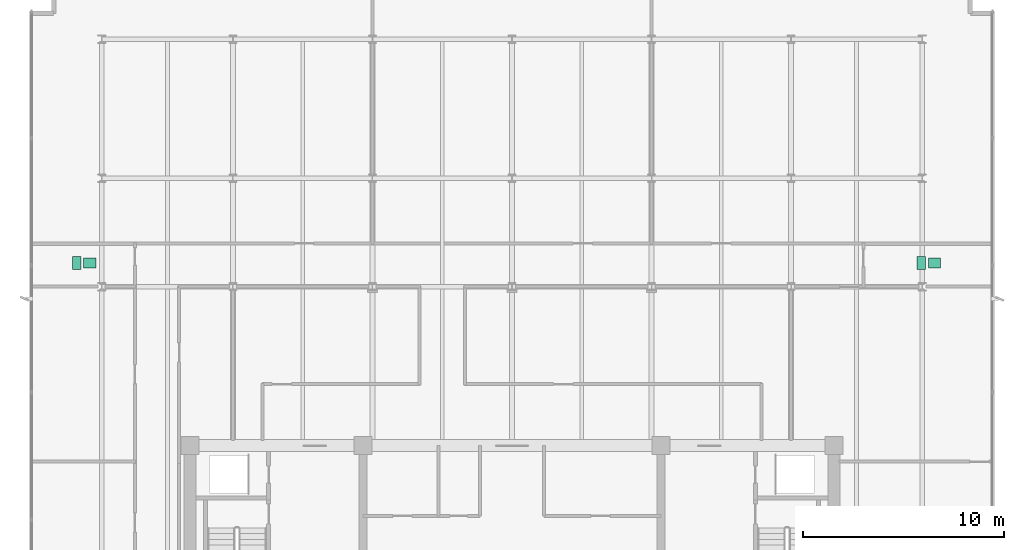
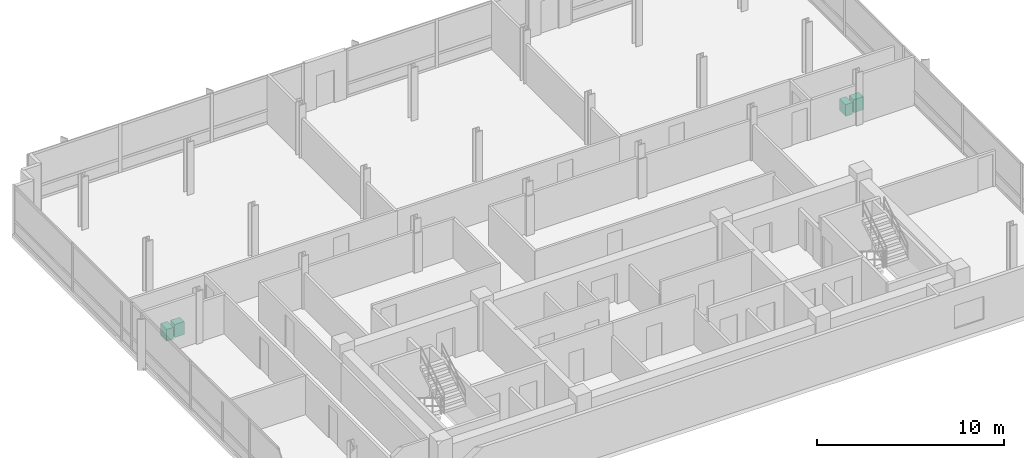
# One storey, part 13 of 13: 4 sanitary terminals.
"""IFC4 building model written with IfcOpenShell, lengths in metres."""

from ifc_helpers import new_model, si_unit, direction, frame, origin, origin_2d, place, context, subcontext, project, spatial, rectangle, extrude, material, type_object, element, save


model = new_model("IFC4")

# Units and contexts
model_context = context("Model", 3, precision=1e-05, world=origin(), true_north=direction((0.0, 1.0)))
body_context = subcontext(model_context, "Body", "Model", "MODEL_VIEW")
ifc_project = project(units=[si_unit("LENGTHUNIT", "METRE"), si_unit("AREAUNIT", "SQUARE_METRE"), si_unit("VOLUMEUNIT", "CUBIC_METRE"), si_unit("PLANEANGLEUNIT", "RADIAN"), si_unit("MASSUNIT", "GRAM", prefix="KILO")], contexts=[model_context])

# Site, building, storey
site_placement = place(None, origin())
site = spatial("IfcSite", under=ifc_project, at=site_placement, CompositionType="ELEMENT")
building_placement = place(site_placement, origin())
building = spatial("IfcBuilding", under=site, at=building_placement, Name="Solmavex Isthmus Hotel", CompositionType="ELEMENT")
storey_placement = place(building_placement, frame((0.0, 0.0, 279.89990234375)))
storey = spatial("IfcBuildingStorey", under=building, at=storey_placement, Name="L76", CompositionType="ELEMENT", Elevation=279.89990234375)

# Sanitary terminals
ifc_material = material(Name="Vitreous china ceramic", Category="ceramic")
sanitary_terminal_type_1 = type_object("IfcSanitaryTerminalType", Name="SAN-BASIN", PredefinedType="WASHHANDBASIN", material=ifc_material)
for number, where, z_axis, x_axis, name in (
    (1, (-20.9951171875, 6.577392578125, 0.0), (0.0, 0.0, 1.0), (1.0, 0.0, 0.0), "Vanity Washbasin L76-381"),
    (2, (20.99609375, 6.577392578125, 0.0), (0.0, 0.0, 1.0), (1.0, 0.0, 0.0), "Vanity Washbasin L76-382"),
):
    element("IfcSanitaryTerminal", number, at=place(storey_placement, frame(where, z_axis=z_axis, x_axis=x_axis)), inside=storey, type_object=sanitary_terminal_type_1, Name=name, PredefinedType="WASHHANDBASIN", context=body_context, shape_type="SweptSolid", body=[
        extrude(rectangle(XDim=0.60009765625, YDim=0.47998046875, at=origin_2d()), origin(), (0.0, 0.0, 1.0), 0.85009765625),
    ])
sanitary_terminal_type_2 = type_object("IfcSanitaryTerminalType", Name="SAN-WC-SUITE", PredefinedType="TOILETPAN", material=ifc_material)
for number, where, z_axis, x_axis, name in (
    (3, (-21.635009765625, 6.577392578125, 0.0), (0.0, 0.0, 1.0), (1.0, 0.0, 0.0), "Water Closet L76-381"),
    (4, (20.35595703125, 6.577392578125, 0.0), (0.0, 0.0, 1.0), (1.0, 0.0, 0.0), "Water Closet L76-382"),
):
    element("IfcSanitaryTerminal", number, at=place(storey_placement, frame(where, z_axis=z_axis, x_axis=x_axis)), inside=storey, type_object=sanitary_terminal_type_2, Name=name, PredefinedType="TOILETPAN", context=body_context, shape_type="SweptSolid", body=[
        extrude(rectangle(XDim=0.419921875, YDim=0.64990234375, at=origin_2d()), origin(), (0.0, 0.0, 1.0), 0.780029296875),
    ])

save(model, "model.ifc")
